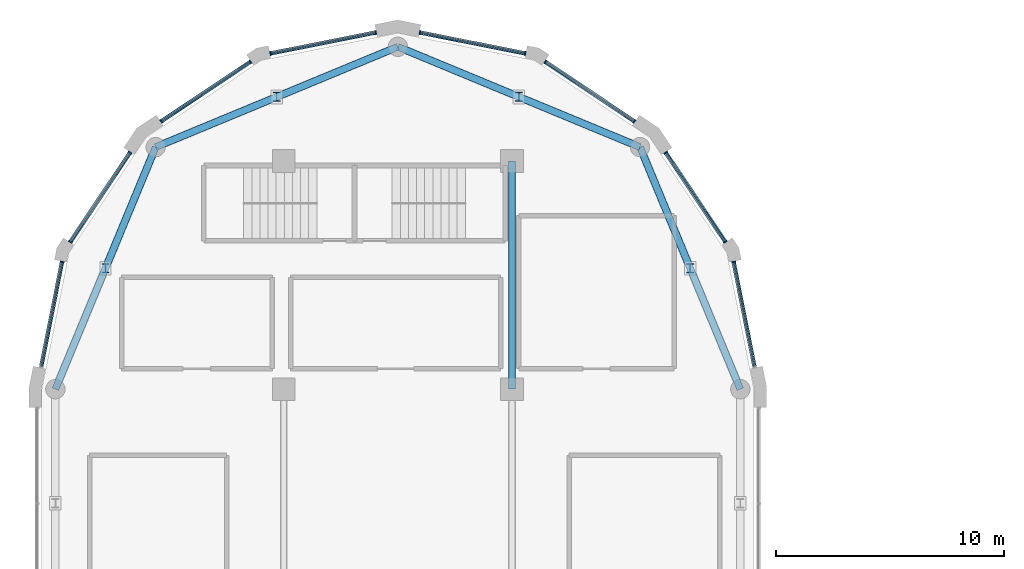
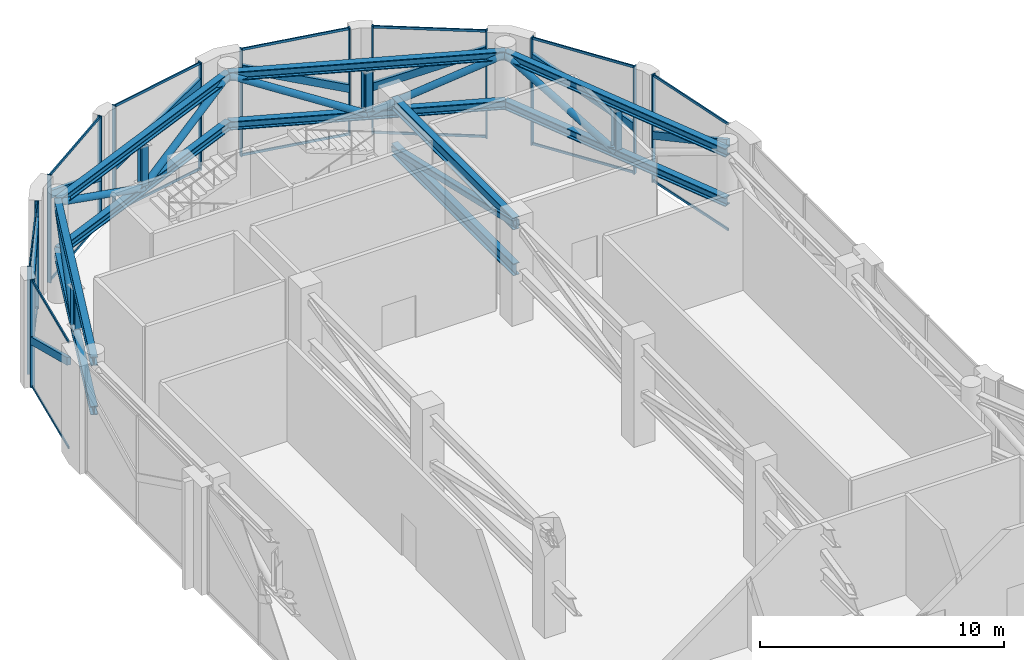
# One storey, part 10 of 18: 59 members, 8 elements without a shape of their own.
"""IFC4 building model written with IfcOpenShell, lengths in metres."""

import ifcopenshell
import ifcopenshell.guid

model = None  # the IFC model being written
_history = None  # IfcOwnerHistory: only IFC2X3 demands one
_inside = {}  # id of a spatial element -> (the spatial element, [elements in it])
_under = {}  # id of a project, library or spatial element -> (it, [spatial elements below it])
_declared = {}  # id of a project -> (the project, [libraries it declares])
_typed = {}  # id of a type object -> (the type object, [elements of that type])
_made_of = {}  # id of a material, layer set ... -> (it, [elements and type objects made of it])


def new_model(schema):
    """Start an empty IFC model of exactly this schema.

    Asked for "IFC4X3", IfcOpenShell would pick the latest addendum, in which some entities
    have other attributes; the version numbers below select the first issue.
    IFC2X3 requires an IfcOwnerHistory on every rooted entity: one is made here for all.
    """
    global model, _history
    if schema == "IFC4X3":
        model = ifcopenshell.file(schema_version=(4, 3, 0, 0))
    else:
        model = ifcopenshell.file(schema=schema)
    _inside.clear()
    _under.clear()
    _declared.clear()
    _typed.clear()
    _made_of.clear()
    _history = None
    if model.schema == "IFC2X3":
        org = make("IfcOrganization", Name="unknown")
        user = make(
            "IfcPersonAndOrganization",
            ThePerson=make("IfcPerson", FamilyName="unknown"),
            TheOrganization=org,
        )
        app = make(
            "IfcApplication",
            ApplicationDeveloper=org,
            Version="unknown",
            ApplicationFullName="unknown",
            ApplicationIdentifier="unknown",
        )
        _history = make(
            "IfcOwnerHistory",
            OwningUser=user,
            OwningApplication=app,
            ChangeAction="ADDED",
            CreationDate=0,
        )
    return model


def make(cls, **values):
    """One entity of the class cls with the attributes given. An attribute that is None is left unset."""
    return model.create_entity(
        cls, **{name: value for name, value in values.items() if value is not None}
    )


def rooted(cls, **values):
    """An entity with a GlobalId (a new one), such as an element, a storey or a relation."""
    return make(cls, GlobalId=ifcopenshell.guid.new(), OwnerHistory=_history, **values)


def si_unit(unit_type, name, prefix=None):
    """IfcSIUnit, for example si_unit("LENGTHUNIT", "METRE", prefix="MILLI")."""
    return make("IfcSIUnit", UnitType=unit_type, Prefix=prefix, Name=name)


def assignment(units):
    """IfcUnitAssignment: the units of a project."""
    return None if units is None else make("IfcUnitAssignment", Units=units)


def point(xyz):
    """IfcCartesianPoint."""
    return None if xyz is None else make("IfcCartesianPoint", Coordinates=xyz)


def direction(xyz):
    """IfcDirection."""
    return None if xyz is None else make("IfcDirection", DirectionRatios=xyz)


def frame(location, z_axis=None, x_axis=None):
    """IfcAxis2Placement3D, a coordinate frame: its origin and axes. An axis left out is left unset."""
    return make(
        "IfcAxis2Placement3D",
        Location=point(location),
        Axis=direction(z_axis),
        RefDirection=direction(x_axis),
    )


def frame_2d(location, x_axis=None):
    """IfcAxis2Placement2D, a coordinate frame in the plane: its origin and x axis."""
    return make(
        "IfcAxis2Placement2D", Location=point(location), RefDirection=direction(x_axis)
    )


def origin():
    """The frame at (0, 0, 0) with its axes left unset."""
    return frame((0.0, 0.0, 0.0))


def origin_2d():
    """The frame at (0, 0) in the plane with its x axis left unset."""
    return frame_2d((0.0, 0.0))


def place(relative_to, where):
    """IfcLocalPlacement: puts the frame where relative to a parent placement (None: the world)."""
    return make(
        "IfcLocalPlacement", PlacementRelTo=relative_to, RelativePlacement=where
    )


def context(
    kind, dimensions, precision=None, world=None, true_north=None, identifier=None
):
    """IfcGeometricRepresentationContext, for example the 3D "Model" context."""
    return make(
        "IfcGeometricRepresentationContext",
        ContextIdentifier=identifier,
        ContextType=kind,
        CoordinateSpaceDimension=dimensions,
        Precision=precision,
        WorldCoordinateSystem=world,
        TrueNorth=true_north,
    )


def subcontext(parent, identifier, kind, view, scale=None):
    """IfcGeometricRepresentationSubContext, for example "Body" below "Model"."""
    return make(
        "IfcGeometricRepresentationSubContext",
        ContextIdentifier=identifier,
        ContextType=kind,
        ParentContext=parent,
        TargetScale=scale,
        TargetView=view,
    )


def project(units=None, contexts=None):
    """IfcProject with its units and contexts."""
    return rooted(
        "IfcProject",
        Name="project",
        RepresentationContexts=contexts,
        UnitsInContext=assignment(units),
    )


def spatial(cls, under=None, at=None, **own):
    """A site, building, storey or space (cls), placed at a placement, below another one or the project."""
    s = rooted(cls, ObjectPlacement=at, **own)
    if under is not None:
        _under.setdefault(under.id(), (under, []))[1].append(s)
    return s


def polyline(points):
    """IfcPolyline through the points."""
    return make("IfcPolyline", Points=[point(p) for p in points])


def profile(cls, at=None, kind="AREA", **sizes):
    """A parametric profile (cls). Its sizes go by their IFC names, for example OverallWidth=200.0."""
    return make(cls, ProfileType=kind, Position=at, **sizes)


def rectangle(**sizes):
    """IfcRectangleProfileDef."""
    return profile("IfcRectangleProfileDef", **sizes)


def hollow_rectangle(**sizes):
    """IfcRectangleHollowProfileDef."""
    return profile("IfcRectangleHollowProfileDef", **sizes)


def hollow_circle(**sizes):
    """IfcCircleHollowProfileDef."""
    return profile("IfcCircleHollowProfileDef", **sizes)


def i_section(**sizes):
    """IfcIShapeProfileDef."""
    return profile("IfcIShapeProfileDef", **sizes)


def outline(outer, holes=None, kind="AREA"):
    """IfcArbitraryClosedProfileDef: a profile drawn as a closed curve; with holes, ...WithVoids."""
    if holes is None:
        return make("IfcArbitraryClosedProfileDef", ProfileType=kind, OuterCurve=outer)
    return make(
        "IfcArbitraryProfileDefWithVoids",
        ProfileType=kind,
        OuterCurve=outer,
        InnerCurves=holes,
    )


def extrude(swept, where, along, depth):
    """IfcExtrudedAreaSolid: the profile swept, set in the frame where, extruded along a direction by depth."""
    return make(
        "IfcExtrudedAreaSolid",
        SweptArea=swept,
        Position=where,
        ExtrudedDirection=direction(along),
        Depth=depth,
    )


def shape(context_of_items, identifier, shape_type, items):
    """IfcShapeRepresentation: the items that make up one representation, for example the "Body"."""
    return make(
        "IfcShapeRepresentation",
        ContextOfItems=context_of_items,
        RepresentationIdentifier=identifier,
        RepresentationType=shape_type,
        Items=items,
    )


def material(Name=None, Category=None):
    """IfcMaterial."""
    return make("IfcMaterial", Name=Name, Category=Category)


def layer(
    of_material, thickness, ventilated=None, Name=None, Category=None, Priority=None
):
    """IfcMaterialLayer: one layer of a wall or slab, of a material (None: an air gap)."""
    return make(
        "IfcMaterialLayer",
        Material=of_material,
        LayerThickness=thickness,
        IsVentilated=ventilated,
        Name=Name,
        Category=Category,
        Priority=Priority,
    )


def layer_set(layers, Name=None):
    """IfcMaterialLayerSet."""
    return make("IfcMaterialLayerSet", MaterialLayers=layers, LayerSetName=Name)


def material_profile(
    of_material, cross_section, Name=None, Category=None, Priority=None
):
    """IfcMaterialProfile: a cross section and its material."""
    return make(
        "IfcMaterialProfile",
        Name=Name,
        Material=of_material,
        Profile=cross_section,
        Priority=Priority,
        Category=Category,
    )


def profile_set(profiles, Name=None, composite=None):
    """IfcMaterialProfileSet."""
    return make(
        "IfcMaterialProfileSet",
        Name=Name,
        MaterialProfiles=profiles,
        CompositeProfile=composite,
    )


def made_of(thing, what):
    """Note that an element or type object is made of a material, layer set ...; save() writes the relation."""
    if what is not None:
        _made_of.setdefault(what.id(), (what, []))[1].append(thing)
    return thing


def type_object(cls, material=None, **own):
    """A type object (cls), such as IfcWallType, which elements share."""
    return made_of(rooted(cls, **own), material)


def element(
    cls,
    number,
    at=None,
    inside=None,
    cuts=None,
    type_object=None,
    material=None,
    context=None,
    identifier="Body",
    shape_type=None,
    held_by="IfcProductDefinitionShape",
    body=None,
    shapes=None,
    **own,
):
    """One element of the class cls, such as IfcWall. Its Tag is "e" and its number.

    at: its placement. inside: the storey or other place that contains it. cuts: it is an
    opening in that element (IfcRelVoidsElement). A single representation is given by context,
    identifier, shape_type and body (its items); several are given by shapes. held_by: the class
    of the entity that holds the representations. save() writes the other relations.
    """
    e = rooted(cls, Tag="e%d" % number, ObjectPlacement=at, **own)
    if body is not None:
        shapes = [shape(context, identifier, shape_type, body)]
    if shapes is not None:
        e.Representation = make(held_by, Representations=shapes)
    if inside is not None:
        _inside.setdefault(inside.id(), (inside, []))[1].append(e)
    if cuts is not None:
        rooted(
            "IfcRelVoidsElement", RelatingBuildingElement=cuts, RelatedOpeningElement=e
        )
    if type_object is not None:
        _typed.setdefault(type_object.id(), (type_object, []))[1].append(e)
    return made_of(e, material)


def aggregate(whole, parts):
    """IfcRelAggregates: a whole, such as a stair, and the parts it consists of."""
    return rooted("IfcRelAggregates", RelatingObject=whole, RelatedObjects=parts)


def save(model, path):
    """Write the relations noted so far, then the file.

    IfcRelAggregates (storeys below a building ...), IfcRelContainedInSpatialStructure (elements
    in a storey), IfcRelDefinesByType, IfcRelAssociatesMaterial and IfcRelDeclares: one each for
    every whole, place, type object, material and project.
    """
    for whole, parts in _under.values():
        aggregate(whole, parts)
    for where, things in _inside.values():
        rooted(
            "IfcRelContainedInSpatialStructure",
            RelatedElements=things,
            RelatingStructure=where,
        )
    for kind, things in _typed.values():
        rooted("IfcRelDefinesByType", RelatedObjects=things, RelatingType=kind)
    for what, things in _made_of.values():
        rooted("IfcRelAssociatesMaterial", RelatedObjects=things, RelatingMaterial=what)
    for by, libraries in _declared.values():
        rooted("IfcRelDeclares", RelatingContext=by, RelatedDefinitions=libraries)
    model.write(path)


model = new_model("IFC4")

# Units and contexts
model_context = context("Model", 3, precision=1e-05, world=origin(), true_north=direction((0.0, 1.0)))
body_context = subcontext(model_context, "Body", "Model", "MODEL_VIEW")
ifc_project = project(units=[si_unit("LENGTHUNIT", "METRE"), si_unit("AREAUNIT", "SQUARE_METRE"), si_unit("VOLUMEUNIT", "CUBIC_METRE"), si_unit("PLANEANGLEUNIT", "RADIAN"), si_unit("MASSUNIT", "GRAM", prefix="KILO")], contexts=[model_context])

# Site, building, storey
site_placement = place(None, origin())
site = spatial("IfcSite", under=ifc_project, at=site_placement, CompositionType="ELEMENT")
building_placement = place(site_placement, origin())
building = spatial("IfcBuilding", under=site, at=building_placement, Name="Qaws Garden Tower", CompositionType="ELEMENT")
storey_placement = place(building_placement, frame((0.0, 0.0, 352.800048828125)))
storey = spatial("IfcBuildingStorey", under=building, at=storey_placement, Name="L86", CompositionType="ELEMENT", Elevation=352.800048828125)

# Members
ifc_material_1 = material(Name="Steel S355", Category="steel")
ifc_material_profile_1 = material_profile(ifc_material_1, i_section(OverallWidth=0.306884765625, OverallDepth=0.431884765625, WebThickness=0.02099609375, FlangeThickness=0.0400390625, FilletRadius=0.027099609375, at=origin_2d()), Name="HEM 400")
ifc_profile_set_1 = profile_set([ifc_material_profile_1], Name="Steel S355")
member_type_1 = type_object("IfcMemberType", Name="Belt chord HEM 400", PredefinedType="CHORD", material=ifc_profile_set_1)
for number, where, z_axis, x_axis, name in (
    (1, (30.0, 60.0, 4.783935546875), (-0.382674207535, 0.923883353507, 0.0), (-0.923883353507, -0.382674207535, 0.0), "Belt truss top chord 10"),
    (2, (30.0, 60.0, 2.31591796875), (-0.382674207535, 0.923883353507, 0.0), (-0.923883353507, -0.382674207535, 0.0), "Belt truss bottom chord 10"),
    (3, (25.606689453125, 70.606689453125, 4.783935546875), (-0.923883353507, 0.382674207535, 0.0), (-0.382674207535, -0.923883353507, 0.0), "Belt truss top chord 11"),
    (4, (25.606689453125, 70.606689453125, 2.31591796875), (-0.923883353507, 0.382674207535, 0.0), (-0.382674207535, -0.923883353507, 0.0), "Belt truss bottom chord 11"),
    (5, (15.0, 75.0, 4.783935546875), (-0.923883353507, -0.382674207535, 0.0), (0.382674207535, -0.923883353507, 0.0), "Belt truss top chord 12"),
    (6, (15.0, 75.0, 2.31591796875), (-0.923883353507, -0.382674207535, 0.0), (0.382674207535, -0.923883353507, 0.0), "Belt truss bottom chord 12"),
    (7, (4.393310546875, 70.606689453125, 4.783935546875), (-0.382674207535, -0.923883353507, 0.0), (0.923883353507, -0.382674207535, 0.0), "Belt truss top chord 13"),
    (8, (4.393310546875, 70.606689453125, 2.31591796875), (-0.382674207535, -0.923883353507, 0.0), (0.923883353507, -0.382674207535, 0.0), "Belt truss bottom chord 13"),
):
    element("IfcMember", number, at=place(storey_placement, frame(where, z_axis=z_axis, x_axis=x_axis)), inside=storey, type_object=member_type_1, Name=name, PredefinedType="CHORD", context=body_context, shape_type="SweptSolid", body=[
        extrude(i_section(OverallWidth=0.306884765625, OverallDepth=0.431884765625, WebThickness=0.02099609375, FlangeThickness=0.0400390625, FilletRadius=0.027099609375, at=origin_2d()), origin(), (0.0, 0.0, 1.0), 11.48046875),
    ])
ifc_material_2 = material(Name="Steel S355", Category="steel")
ifc_material_profile_2 = material_profile(ifc_material_2, hollow_circle(Radius=0.161865234375, WallThickness=0.01611328125, at=origin_2d()), Name="CHS 323.9x16")
ifc_profile_set_2 = profile_set([ifc_material_profile_2], Name="Steel S355")
member_type_2 = type_object("IfcMemberType", Name="Belt diagonal CHS 323.9x16", PredefinedType="BRACE", material=ifc_profile_set_2)
for number, where, z_axis, x_axis, name in (
    (9, (27.80322265625, 65.30322265625, 2.31591796875), (-0.351534736565, 0.848770599355, 0.394983289089), (-0.92389398552, -0.382648537851, 0.0), "Belt truss diagonal 10b"),
    (10, (25.606689453125, 70.606689453125, 4.783935546875), (-0.848770599355, 0.351534736565, -0.394983289089), (-0.382648537851, -0.92389398552, 0.0), "Belt truss diagonal 11a"),
    (11, (20.30322265625, 72.80322265625, 2.31591796875), (-0.848748015441, 0.351580639119, 0.394990962531), (-0.382699877515, -0.923872720536, 0.0), "Belt truss diagonal 11b"),
    (12, (15.0, 75.0, 4.783935546875), (-0.848748015441, -0.351580639119, -0.394990962531), (0.382699877515, -0.923872720536, 0.0), "Belt truss diagonal 12a"),
    (13, (9.69677734375, 72.80322265625, 2.31591796875), (-0.848770599355, -0.351534736565, 0.394983289089), (0.382648537851, -0.92389398552, 0.0), "Belt truss diagonal 12b"),
    (14, (4.393310546875, 70.606689453125, 4.783935546875), (-0.351534736565, -0.848770599355, -0.394983289089), (0.92389398552, -0.382648537851, 0.0), "Belt truss diagonal 13a"),
):
    element("IfcMember", number, at=place(storey_placement, frame(where, z_axis=z_axis, x_axis=x_axis)), inside=storey, type_object=member_type_2, Name=name, PredefinedType="BRACE", context=body_context, shape_type="SweptSolid", body=[
        extrude(hollow_circle(Radius=0.161865234375, WallThickness=0.01611328125, at=origin_2d()), origin(), (0.0, 0.0, 1.0), 6.248291015625),
    ])
ifc_material_3 = material(Name="Steel S355", Category="steel")
ifc_material_profile_3 = material_profile(ifc_material_3, i_section(OverallWidth=0.300048828125, OverallDepth=0.39990234375, WebThickness=0.013427734375, FlangeThickness=0.02392578125, FilletRadius=0.027099609375, at=origin_2d()), Name="HEB 400")
ifc_profile_set_3 = profile_set([ifc_material_profile_3], Name="Steel S355")
member_type_3 = type_object("IfcMemberType", Name="Belt post HEB 400", PredefinedType="POST", material=ifc_profile_set_3)
for number, where, z_axis, x_axis, name in (
    (15, (27.80322265625, 65.30322265625, 2.531982421875), (0.0, 0.0, 1.0), (1.0, 0.0, 0.0), "Belt truss post 10"),
    (16, (20.30322265625, 72.80322265625, 2.531982421875), (0.0, 0.0, 1.0), (1.0, 0.0, 0.0), "Belt truss post 11"),
    (17, (9.69677734375, 72.80322265625, 2.531982421875), (0.0, 0.0, 1.0), (1.0, 0.0, 0.0), "Belt truss post 12"),
    (18, (2.19677734375, 65.30322265625, 2.531982421875), (0.0, 0.0, 1.0), (1.0, 0.0, 0.0), "Belt truss post 13"),
):
    element("IfcMember", number, at=place(storey_placement, frame(where, z_axis=z_axis, x_axis=x_axis)), inside=storey, type_object=member_type_3, Name=name, PredefinedType="POST", context=body_context, shape_type="SweptSolid", body=[
        extrude(i_section(OverallWidth=0.300048828125, OverallDepth=0.39990234375, WebThickness=0.013427734375, FlangeThickness=0.02392578125, FilletRadius=0.027099609375, at=origin_2d()), origin(), (0.0, 0.0, 1.0), 2.035888671875),
    ])

# Curtain wall, member
ifc_material_4 = material(Name="Anodised aluminium curtain wall frame", Category="aluminium")
ifc_layer = layer(ifc_material_4, 0.159912109375)
ifc_layer_set = layer_set([ifc_layer], Name="Anodised aluminium curtain wall frame")
curtain_wall_type = type_object("IfcCurtainWallType", Name="CW6 plant floor louvre glazing curtain wall", PredefinedType="NOTDEFINED", material=ifc_layer_set)
placement = place(storey_placement, origin())
curtain_wall_1 = element("IfcCurtainWall", 19, at=placement, inside=storey, type_object=curtain_wall_type, Name="CW6 Plant floor louvre glazing 09", PredefinedType="NOTDEFINED")
ifc_material_5 = material(Name="Anodised aluminium curtain wall frame", Category="aluminium")
ifc_material_profile_4 = material_profile(ifc_material_5, rectangle(XDim=0.179931640625, YDim=0.360107421875, at=origin_2d()), Name="AL 180x360")
ifc_profile_set_4 = profile_set([ifc_material_profile_4], Name="Anodised aluminium curtain wall frame")
member_type_4 = type_object("IfcMemberType", Name="CW6 inclined transom 360 x 180", PredefinedType="USERDEFINED", material=ifc_profile_set_4)
member_1_placement = place(storey_placement, frame((30.628662109375, 60.940673828125, 0.119873046875), z_axis=(0.0, 0.0, 1.0), x_axis=(-0.195098533057, 0.98078364709, 0.0)))
member_1 = element("IfcMember", 20, at=member_1_placement, type_object=member_type_4, Name="CW6 inclined transom 1.1", ObjectType="TRANSOM", PredefinedType="USERDEFINED", context=body_context, shape_type="SweptSolid", body=[
    extrude(outline(polyline([(0.06005859375, 4.090576171875), (4.692626953125, 2.0595703125), (4.692626953125, 2.452880859375), (0.06005859375, 4.483642578125), (0.06005859375, 4.090576171875)])), frame((0.0, 0.08984375, 0.0), z_axis=(0.0, -1.0, 0.0), x_axis=(1.0, 0.0, 0.0)), (0.0, 0.0, 1.0), 0.179931640625),
])

curtain_wall_2 = element("IfcCurtainWall", 21, at=placement, inside=storey, type_object=curtain_wall_type, Name="CW6 Plant floor louvre glazing 10", PredefinedType="NOTDEFINED")
member_2_placement = place(storey_placement, frame((29.356689453125, 66.43408203125, 0.119873046875), z_axis=(0.0, 0.0, 1.0), x_axis=(-0.555541552266, 0.831488775454, 0.0)))
member_2 = element("IfcMember", 22, at=member_2_placement, type_object=member_type_4, Name="CW6 inclined transom 1.1", ObjectType="TRANSOM", PredefinedType="USERDEFINED", context=body_context, shape_type="SweptSolid", body=[
    extrude(outline(polyline([(0.06005859375, 2.0595703125), (4.692626953125, 4.090576171875), (4.692626953125, 4.483642578125), (0.06005859375, 2.452880859375), (0.06005859375, 2.0595703125)])), frame((0.0, 0.08984375, 0.0), z_axis=(0.0, -1.0, 0.0), x_axis=(1.0, 0.0, 0.0)), (0.0, 0.0, 1.0), 0.179931640625),
])

curtain_wall_3 = element("IfcCurtainWall", 23, at=placement, inside=storey, type_object=curtain_wall_type, Name="CW6 Plant floor louvre glazing 11", PredefinedType="NOTDEFINED")
member_3_placement = place(storey_placement, frame((25.385986328125, 71.71630859375, 0.119873046875), z_axis=(0.0, 0.0, 1.0), x_axis=(-0.831488775454, 0.555541552266, 0.0)))
member_3 = element("IfcMember", 24, at=member_3_placement, type_object=member_type_4, Name="CW6 inclined transom 1.1", ObjectType="TRANSOM", PredefinedType="USERDEFINED", context=body_context, shape_type="SweptSolid", body=[
    extrude(outline(polyline([(0.06005859375, 4.090576171875), (4.692626953125, 2.0595703125), (4.692626953125, 2.452880859375), (0.06005859375, 4.483642578125), (0.06005859375, 4.090576171875)])), frame((0.0, 0.08984375, 0.0), z_axis=(0.0, -1.0, 0.0), x_axis=(1.0, 0.0, 0.0)), (0.0, 0.0, 1.0), 0.179931640625),
])

curtain_wall_4 = element("IfcCurtainWall", 25, at=placement, inside=storey, type_object=curtain_wall_type, Name="CW6 Plant floor louvre glazing 12", PredefinedType="NOTDEFINED")
member_4_placement = place(storey_placement, frame((20.60205078125, 74.701416015625, 0.119873046875), z_axis=(0.0, 0.0, 1.0), x_axis=(-0.98078364709, 0.195098533057, 0.0)))
member_4 = element("IfcMember", 26, at=member_4_placement, type_object=member_type_4, Name="CW6 inclined transom 1.1", ObjectType="TRANSOM", PredefinedType="USERDEFINED", context=body_context, shape_type="SweptSolid", body=[
    extrude(outline(polyline([(0.06005859375, 2.0595703125), (4.692626953125, 4.090576171875), (4.692626953125, 4.483642578125), (0.06005859375, 2.452880859375), (0.06005859375, 2.0595703125)])), frame((0.0, 0.08984375, 0.0), z_axis=(0.0, -1.0, 0.0), x_axis=(1.0, 0.0, 0.0)), (0.0, 0.0, 1.0), 0.179931640625),
])

curtain_wall_5 = element("IfcCurtainWall", 27, at=placement, inside=storey, type_object=curtain_wall_type, Name="CW6 Plant floor louvre glazing 13", PredefinedType="NOTDEFINED")
member_5_placement = place(storey_placement, frame((14.059326171875, 75.628662109375, 0.119873046875), z_axis=(0.0, 0.0, 1.0), x_axis=(-0.98078364709, -0.195098533057, 0.0)))
member_5 = element("IfcMember", 28, at=member_5_placement, type_object=member_type_4, Name="CW6 inclined transom 1.1", ObjectType="TRANSOM", PredefinedType="USERDEFINED", context=body_context, shape_type="SweptSolid", body=[
    extrude(outline(polyline([(0.06005859375, 4.090576171875), (4.692626953125, 2.0595703125), (4.692626953125, 2.452880859375), (0.06005859375, 4.483642578125), (0.06005859375, 4.090576171875)])), frame((0.0, 0.08984375, 0.0), z_axis=(0.0, -1.0, 0.0), x_axis=(1.0, 0.0, 0.0)), (0.0, 0.0, 1.0), 0.179931640625),
])

curtain_wall_6 = element("IfcCurtainWall", 29, at=placement, inside=storey, type_object=curtain_wall_type, Name="CW6 Plant floor louvre glazing 14", PredefinedType="NOTDEFINED")
member_6_placement = place(storey_placement, frame((8.56591796875, 74.356689453125, 0.119873046875), z_axis=(0.0, 0.0, 1.0), x_axis=(-0.831488775454, -0.555541552266, 0.0)))
member_6 = element("IfcMember", 30, at=member_6_placement, type_object=member_type_4, Name="CW6 inclined transom 1.1", ObjectType="TRANSOM", PredefinedType="USERDEFINED", context=body_context, shape_type="SweptSolid", body=[
    extrude(outline(polyline([(0.06005859375, 2.0595703125), (4.692626953125, 4.090576171875), (4.692626953125, 4.483642578125), (0.06005859375, 2.452880859375), (0.06005859375, 2.0595703125)])), frame((0.0, 0.08984375, 0.0), z_axis=(0.0, -1.0, 0.0), x_axis=(1.0, 0.0, 0.0)), (0.0, 0.0, 1.0), 0.179931640625),
])

curtain_wall_7 = element("IfcCurtainWall", 31, at=placement, inside=storey, type_object=curtain_wall_type, Name="CW6 Plant floor louvre glazing 15", PredefinedType="NOTDEFINED")
member_7_placement = place(storey_placement, frame((3.28369140625, 70.385986328125, 0.119873046875), z_axis=(0.0, 0.0, 1.0), x_axis=(-0.555541552266, -0.831488775454, 0.0)))
member_7 = element("IfcMember", 32, at=member_7_placement, type_object=member_type_4, Name="CW6 inclined transom 1.1", ObjectType="TRANSOM", PredefinedType="USERDEFINED", context=body_context, shape_type="SweptSolid", body=[
    extrude(outline(polyline([(0.06005859375, 4.090576171875), (4.692626953125, 2.0595703125), (4.692626953125, 2.452880859375), (0.06005859375, 4.483642578125), (0.06005859375, 4.090576171875)])), frame((0.0, 0.08984375, 0.0), z_axis=(0.0, -1.0, 0.0), x_axis=(1.0, 0.0, 0.0)), (0.0, 0.0, 1.0), 0.179931640625),
])

curtain_wall_8 = element("IfcCurtainWall", 33, at=placement, inside=storey, type_object=curtain_wall_type, Name="CW6 Plant floor louvre glazing 16", PredefinedType="NOTDEFINED")
member_8_placement = place(storey_placement, frame((0.298583984375, 65.60205078125, 0.119873046875), z_axis=(0.0, 0.0, 1.0), x_axis=(-0.195098533057, -0.98078364709, 0.0)))
member_8 = element("IfcMember", 34, at=member_8_placement, type_object=member_type_4, Name="CW6 inclined transom 1.1", ObjectType="TRANSOM", PredefinedType="USERDEFINED", context=body_context, shape_type="SweptSolid", body=[
    extrude(outline(polyline([(0.06005859375, 2.0595703125), (4.692626953125, 4.090576171875), (4.692626953125, 4.483642578125), (0.06005859375, 2.452880859375), (0.06005859375, 2.0595703125)])), frame((0.0, 0.08984375, 0.0), z_axis=(0.0, -1.0, 0.0), x_axis=(1.0, 0.0, 0.0)), (0.0, 0.0, 1.0), 0.179931640625),
])

# Member
ifc_material_6 = material(Name="Anodised aluminium curtain wall frame", Category="aluminium")
ifc_material_profile_5 = material_profile(ifc_material_6, rectangle(XDim=0.179931640625, YDim=0.06005859375, at=origin_2d()), Name="AL 60x180")
ifc_profile_set_5 = profile_set([ifc_material_profile_5], Name="Anodised aluminium curtain wall frame")
member_type_5 = type_object("IfcMemberType", Name="CW6 mullion 60 x 180", PredefinedType="MULLION", material=ifc_profile_set_5)
member_9_placement = place(storey_placement, frame((29.707275390625, 65.57275390625, 0.0), z_axis=(0.0, 0.0, 1.0), x_axis=(-0.980785280407, -0.195090321999, 0.0)))
member_9 = element("IfcMember", 35, at=member_9_placement, type_object=member_type_5, Name="CW6 mullion 2", PredefinedType="MULLION", context=body_context, shape_type="SweptSolid", body=[
    extrude(rectangle(XDim=0.179931640625, YDim=0.06005859375, at=origin_2d()), origin(), (0.0, 0.0, 1.0), 5.39990234375),
])

member_10_placement = place(storey_placement, frame((29.340087890625, 66.458984375, 0.0), z_axis=(0.0, 0.0, 1.0), x_axis=(-0.831469612206, -0.555570233165, 0.0)))
member_10 = element("IfcMember", 36, at=member_10_placement, type_object=member_type_5, Name="CW6 mullion 1", PredefinedType="MULLION", context=body_context, shape_type="SweptSolid", body=[
    extrude(rectangle(XDim=0.179931640625, YDim=0.06005859375, at=origin_2d()), origin(), (0.0, 0.0, 1.0), 5.39990234375),
])

member_11_placement = place(storey_placement, frame((26.73291015625, 70.36083984375, 0.0), z_axis=(0.0, 0.0, 1.0), x_axis=(-0.831469612206, -0.555570233165, 0.0)))
member_11 = element("IfcMember", 37, at=member_11_placement, type_object=member_type_5, Name="CW6 mullion 2", PredefinedType="MULLION", context=body_context, shape_type="SweptSolid", body=[
    extrude(rectangle(XDim=0.179931640625, YDim=0.06005859375, at=origin_2d()), origin(), (0.0, 0.0, 1.0), 5.39990234375),
])

member_12_placement = place(storey_placement, frame((25.36083984375, 71.73291015625, 0.0), z_axis=(0.0, 0.0, 1.0), x_axis=(-0.555570233165, -0.831469612206, 0.0)))
member_12 = element("IfcMember", 38, at=member_12_placement, type_object=member_type_5, Name="CW6 mullion 1", PredefinedType="MULLION", context=body_context, shape_type="SweptSolid", body=[
    extrude(rectangle(XDim=0.179931640625, YDim=0.06005859375, at=origin_2d()), origin(), (0.0, 0.0, 1.0), 5.39990234375),
])

member_13_placement = place(storey_placement, frame((21.458984375, 74.340087890625, 0.0), z_axis=(0.0, 0.0, 1.0), x_axis=(-0.555570233165, -0.831469612206, 0.0)))
member_13 = element("IfcMember", 39, at=member_13_placement, type_object=member_type_5, Name="CW6 mullion 2", PredefinedType="MULLION", context=body_context, shape_type="SweptSolid", body=[
    extrude(rectangle(XDim=0.179931640625, YDim=0.06005859375, at=origin_2d()), origin(), (0.0, 0.0, 1.0), 5.39990234375),
])

member_14_placement = place(storey_placement, frame((20.57275390625, 74.707275390625, 0.0), z_axis=(0.0, 0.0, 1.0), x_axis=(-0.195090321999, -0.980785280407, 0.0)))
member_14 = element("IfcMember", 40, at=member_14_placement, type_object=member_type_5, Name="CW6 mullion 1", PredefinedType="MULLION", context=body_context, shape_type="SweptSolid", body=[
    extrude(rectangle(XDim=0.179931640625, YDim=0.06005859375, at=origin_2d()), origin(), (0.0, 0.0, 1.0), 5.39990234375),
])

member_15_placement = place(storey_placement, frame((15.97021484375, 75.622802734375, 0.0), z_axis=(0.0, 0.0, 1.0), x_axis=(-0.195090321999, -0.980785280407, 0.0)))
member_15 = element("IfcMember", 41, at=member_15_placement, type_object=member_type_5, Name="CW6 mullion 2", PredefinedType="MULLION", context=body_context, shape_type="SweptSolid", body=[
    extrude(rectangle(XDim=0.179931640625, YDim=0.06005859375, at=origin_2d()), origin(), (0.0, 0.0, 1.0), 5.39990234375),
])

member_16_placement = place(storey_placement, frame((14.02978515625, 75.622802734375, 0.0), z_axis=(0.0, 0.0, 1.0), x_axis=(0.195090321999, -0.980785280407, 0.0)))
member_16 = element("IfcMember", 42, at=member_16_placement, type_object=member_type_5, Name="CW6 mullion 1", PredefinedType="MULLION", context=body_context, shape_type="SweptSolid", body=[
    extrude(rectangle(XDim=0.179931640625, YDim=0.06005859375, at=origin_2d()), origin(), (0.0, 0.0, 1.0), 5.39990234375),
])

member_17_placement = place(storey_placement, frame((9.42724609375, 74.707275390625, 0.0), z_axis=(0.0, 0.0, 1.0), x_axis=(0.195090321999, -0.980785280407, 0.0)))
member_17 = element("IfcMember", 43, at=member_17_placement, type_object=member_type_5, Name="CW6 mullion 2", PredefinedType="MULLION", context=body_context, shape_type="SweptSolid", body=[
    extrude(rectangle(XDim=0.179931640625, YDim=0.06005859375, at=origin_2d()), origin(), (0.0, 0.0, 1.0), 5.39990234375),
])

member_18_placement = place(storey_placement, frame((8.541015625, 74.340087890625, 0.0), z_axis=(0.0, 0.0, 1.0), x_axis=(0.555570233165, -0.831469612206, 0.0)))
member_18 = element("IfcMember", 44, at=member_18_placement, type_object=member_type_5, Name="CW6 mullion 1", PredefinedType="MULLION", context=body_context, shape_type="SweptSolid", body=[
    extrude(rectangle(XDim=0.179931640625, YDim=0.06005859375, at=origin_2d()), origin(), (0.0, 0.0, 1.0), 5.39990234375),
])

member_19_placement = place(storey_placement, frame((4.63916015625, 71.73291015625, 0.0), z_axis=(0.0, 0.0, 1.0), x_axis=(0.555570233165, -0.831469612206, 0.0)))
member_19 = element("IfcMember", 45, at=member_19_placement, type_object=member_type_5, Name="CW6 mullion 2", PredefinedType="MULLION", context=body_context, shape_type="SweptSolid", body=[
    extrude(rectangle(XDim=0.179931640625, YDim=0.06005859375, at=origin_2d()), origin(), (0.0, 0.0, 1.0), 5.39990234375),
])

member_20_placement = place(storey_placement, frame((3.26708984375, 70.36083984375, 0.0), z_axis=(0.0, 0.0, 1.0), x_axis=(0.831469612206, -0.555570233165, 0.0)))
member_20 = element("IfcMember", 46, at=member_20_placement, type_object=member_type_5, Name="CW6 mullion 1", PredefinedType="MULLION", context=body_context, shape_type="SweptSolid", body=[
    extrude(rectangle(XDim=0.179931640625, YDim=0.06005859375, at=origin_2d()), origin(), (0.0, 0.0, 1.0), 5.39990234375),
])

member_21_placement = place(storey_placement, frame((0.659912109375, 66.458984375, 0.0), z_axis=(0.0, 0.0, 1.0), x_axis=(0.831469612206, -0.555570233165, 0.0)))
member_21 = element("IfcMember", 47, at=member_21_placement, type_object=member_type_5, Name="CW6 mullion 2", PredefinedType="MULLION", context=body_context, shape_type="SweptSolid", body=[
    extrude(rectangle(XDim=0.179931640625, YDim=0.06005859375, at=origin_2d()), origin(), (0.0, 0.0, 1.0), 5.39990234375),
])

member_22_placement = place(storey_placement, frame((0.292724609375, 65.57275390625, 0.0), z_axis=(0.0, 0.0, 1.0), x_axis=(0.980785280407, -0.195090321999, 0.0)))
member_22 = element("IfcMember", 48, at=member_22_placement, type_object=member_type_5, Name="CW6 mullion 1", PredefinedType="MULLION", context=body_context, shape_type="SweptSolid", body=[
    extrude(rectangle(XDim=0.179931640625, YDim=0.06005859375, at=origin_2d()), origin(), (0.0, 0.0, 1.0), 5.39990234375),
])

ifc_material_7 = material(Name="Anodised aluminium curtain wall frame", Category="aluminium")
ifc_material_profile_6 = material_profile(ifc_material_7, rectangle(XDim=0.06005859375, YDim=0.1201171875, at=origin_2d()), Name="AL 60x120")
ifc_profile_set_6 = profile_set([ifc_material_profile_6], Name="Anodised aluminium curtain wall frame")
member_type_6 = type_object("IfcMemberType", Name="CW6 transom 120 x 60", PredefinedType="USERDEFINED", material=ifc_profile_set_6)
member_23_placement = place(storey_placement, frame((30.616943359375, 60.99951171875, 0.06005859375), z_axis=(-0.195092447628, 0.98078485759, 0.0), x_axis=(-0.98078485759, -0.195092447628, 0.0)))
member_23 = element("IfcMember", 49, at=member_23_placement, type_object=member_type_6, Name="CW6 transom 1.1", ObjectType="TRANSOM", PredefinedType="USERDEFINED", context=body_context, shape_type="SweptSolid", body=[
    extrude(rectangle(XDim=0.06005859375, YDim=0.1201171875, at=origin_2d()), origin(), (0.0, 0.0, 1.0), 4.6328125),
])

member_24_placement = place(storey_placement, frame((30.616943359375, 60.99951171875, 5.33984375), z_axis=(-0.195092447628, 0.98078485759, 0.0), x_axis=(-0.98078485759, -0.195092447628, 0.0)))
member_24 = element("IfcMember", 50, at=member_24_placement, type_object=member_type_6, Name="CW6 transom 1.2", ObjectType="TRANSOM", PredefinedType="USERDEFINED", context=body_context, shape_type="SweptSolid", body=[
    extrude(rectangle(XDim=0.06005859375, YDim=0.1201171875, at=origin_2d()), origin(), (0.0, 0.0, 1.0), 4.6328125),
])

aggregate(curtain_wall_1, [member_9, member_23, member_24, member_1])

member_25_placement = place(storey_placement, frame((29.3232421875, 66.484130859375, 0.06005859375), z_axis=(-0.555575538949, 0.83146606697, 0.0), x_axis=(-0.83146606697, -0.555575538949, 0.0)))
member_25 = element("IfcMember", 51, at=member_25_placement, type_object=member_type_6, Name="CW6 transom 1.1", ObjectType="TRANSOM", PredefinedType="USERDEFINED", context=body_context, shape_type="SweptSolid", body=[
    extrude(rectangle(XDim=0.06005859375, YDim=0.1201171875, at=origin_2d()), origin(), (0.0, 0.0, 1.0), 4.632568359375),
])

member_26_placement = place(storey_placement, frame((29.3232421875, 66.484130859375, 5.33984375), z_axis=(-0.555575538949, 0.83146606697, 0.0), x_axis=(-0.83146606697, -0.555575538949, 0.0)))
member_26 = element("IfcMember", 52, at=member_26_placement, type_object=member_type_6, Name="CW6 transom 1.2", ObjectType="TRANSOM", PredefinedType="USERDEFINED", context=body_context, shape_type="SweptSolid", body=[
    extrude(rectangle(XDim=0.06005859375, YDim=0.1201171875, at=origin_2d()), origin(), (0.0, 0.0, 1.0), 4.632568359375),
])

aggregate(curtain_wall_2, [member_10, member_11, member_25, member_26, member_2])

member_27_placement = place(storey_placement, frame((25.3359375, 71.74951171875, 0.06005859375), z_axis=(-0.83146606697, 0.555575538949, 0.0), x_axis=(-0.555575538949, -0.83146606697, 0.0)))
member_27 = element("IfcMember", 53, at=member_27_placement, type_object=member_type_6, Name="CW6 transom 1.1", ObjectType="TRANSOM", PredefinedType="USERDEFINED", context=body_context, shape_type="SweptSolid", body=[
    extrude(rectangle(XDim=0.06005859375, YDim=0.1201171875, at=origin_2d()), origin(), (0.0, 0.0, 1.0), 4.632568359375),
])

member_28_placement = place(storey_placement, frame((25.3359375, 71.74951171875, 5.33984375), z_axis=(-0.83146606697, 0.555575538949, 0.0), x_axis=(-0.555575538949, -0.83146606697, 0.0)))
member_28 = element("IfcMember", 54, at=member_28_placement, type_object=member_type_6, Name="CW6 transom 1.2", ObjectType="TRANSOM", PredefinedType="USERDEFINED", context=body_context, shape_type="SweptSolid", body=[
    extrude(rectangle(XDim=0.06005859375, YDim=0.1201171875, at=origin_2d()), origin(), (0.0, 0.0, 1.0), 4.632568359375),
])

aggregate(curtain_wall_3, [member_12, member_13, member_27, member_28, member_3])

member_29_placement = place(storey_placement, frame((20.543212890625, 74.713134765625, 0.06005859375), z_axis=(-0.98078485759, 0.195092447628, 0.0), x_axis=(-0.195092447628, -0.98078485759, 0.0)))
member_29 = element("IfcMember", 55, at=member_29_placement, type_object=member_type_6, Name="CW6 transom 1.1", ObjectType="TRANSOM", PredefinedType="USERDEFINED", context=body_context, shape_type="SweptSolid", body=[
    extrude(rectangle(XDim=0.06005859375, YDim=0.1201171875, at=origin_2d()), origin(), (0.0, 0.0, 1.0), 4.6328125),
])

member_30_placement = place(storey_placement, frame((20.543212890625, 74.713134765625, 5.33984375), z_axis=(-0.98078485759, 0.195092447628, 0.0), x_axis=(-0.195092447628, -0.98078485759, 0.0)))
member_30 = element("IfcMember", 56, at=member_30_placement, type_object=member_type_6, Name="CW6 transom 1.2", ObjectType="TRANSOM", PredefinedType="USERDEFINED", context=body_context, shape_type="SweptSolid", body=[
    extrude(rectangle(XDim=0.06005859375, YDim=0.1201171875, at=origin_2d()), origin(), (0.0, 0.0, 1.0), 4.6328125),
])

aggregate(curtain_wall_4, [member_14, member_15, member_29, member_30, member_4])

member_31_placement = place(storey_placement, frame((14.00048828125, 75.616943359375, 0.06005859375), z_axis=(-0.98078485759, -0.195092447628, 0.0), x_axis=(0.195092447628, -0.98078485759, 0.0)))
member_31 = element("IfcMember", 57, at=member_31_placement, type_object=member_type_6, Name="CW6 transom 1.1", ObjectType="TRANSOM", PredefinedType="USERDEFINED", context=body_context, shape_type="SweptSolid", body=[
    extrude(rectangle(XDim=0.06005859375, YDim=0.1201171875, at=origin_2d()), origin(), (0.0, 0.0, 1.0), 4.6328125),
])

member_32_placement = place(storey_placement, frame((14.00048828125, 75.616943359375, 5.33984375), z_axis=(-0.98078485759, -0.195092447628, 0.0), x_axis=(0.195092447628, -0.98078485759, 0.0)))
member_32 = element("IfcMember", 58, at=member_32_placement, type_object=member_type_6, Name="CW6 transom 1.2", ObjectType="TRANSOM", PredefinedType="USERDEFINED", context=body_context, shape_type="SweptSolid", body=[
    extrude(rectangle(XDim=0.06005859375, YDim=0.1201171875, at=origin_2d()), origin(), (0.0, 0.0, 1.0), 4.6328125),
])

aggregate(curtain_wall_5, [member_16, member_17, member_31, member_32, member_5])

member_33_placement = place(storey_placement, frame((8.515869140625, 74.3232421875, 0.06005859375), z_axis=(-0.83146606697, -0.555575538949, 0.0), x_axis=(0.555575538949, -0.83146606697, 0.0)))
member_33 = element("IfcMember", 59, at=member_33_placement, type_object=member_type_6, Name="CW6 transom 1.1", ObjectType="TRANSOM", PredefinedType="USERDEFINED", context=body_context, shape_type="SweptSolid", body=[
    extrude(rectangle(XDim=0.06005859375, YDim=0.1201171875, at=origin_2d()), origin(), (0.0, 0.0, 1.0), 4.632568359375),
])

member_34_placement = place(storey_placement, frame((8.515869140625, 74.3232421875, 5.33984375), z_axis=(-0.83146606697, -0.555575538949, 0.0), x_axis=(0.555575538949, -0.83146606697, 0.0)))
member_34 = element("IfcMember", 60, at=member_34_placement, type_object=member_type_6, Name="CW6 transom 1.2", ObjectType="TRANSOM", PredefinedType="USERDEFINED", context=body_context, shape_type="SweptSolid", body=[
    extrude(rectangle(XDim=0.06005859375, YDim=0.1201171875, at=origin_2d()), origin(), (0.0, 0.0, 1.0), 4.632568359375),
])

aggregate(curtain_wall_6, [member_18, member_19, member_33, member_34, member_6])

member_35_placement = place(storey_placement, frame((3.25048828125, 70.3359375, 0.06005859375), z_axis=(-0.555575538949, -0.83146606697, 0.0), x_axis=(0.83146606697, -0.555575538949, 0.0)))
member_35 = element("IfcMember", 61, at=member_35_placement, type_object=member_type_6, Name="CW6 transom 1.1", ObjectType="TRANSOM", PredefinedType="USERDEFINED", context=body_context, shape_type="SweptSolid", body=[
    extrude(rectangle(XDim=0.06005859375, YDim=0.1201171875, at=origin_2d()), origin(), (0.0, 0.0, 1.0), 4.632568359375),
])

member_36_placement = place(storey_placement, frame((3.25048828125, 70.3359375, 5.33984375), z_axis=(-0.555575538949, -0.83146606697, 0.0), x_axis=(0.83146606697, -0.555575538949, 0.0)))
member_36 = element("IfcMember", 62, at=member_36_placement, type_object=member_type_6, Name="CW6 transom 1.2", ObjectType="TRANSOM", PredefinedType="USERDEFINED", context=body_context, shape_type="SweptSolid", body=[
    extrude(rectangle(XDim=0.06005859375, YDim=0.1201171875, at=origin_2d()), origin(), (0.0, 0.0, 1.0), 4.632568359375),
])

aggregate(curtain_wall_7, [member_20, member_21, member_35, member_36, member_7])

member_37_placement = place(storey_placement, frame((0.286865234375, 65.543212890625, 0.06005859375), z_axis=(-0.195092447628, -0.98078485759, 0.0), x_axis=(0.98078485759, -0.195092447628, 0.0)))
member_37 = element("IfcMember", 63, at=member_37_placement, type_object=member_type_6, Name="CW6 transom 1.1", ObjectType="TRANSOM", PredefinedType="USERDEFINED", context=body_context, shape_type="SweptSolid", body=[
    extrude(rectangle(XDim=0.06005859375, YDim=0.1201171875, at=origin_2d()), origin(), (0.0, 0.0, 1.0), 4.6328125),
])

member_38_placement = place(storey_placement, frame((0.286865234375, 65.543212890625, 5.33984375), z_axis=(-0.195092447628, -0.98078485759, 0.0), x_axis=(0.98078485759, -0.195092447628, 0.0)))
member_38 = element("IfcMember", 64, at=member_38_placement, type_object=member_type_6, Name="CW6 transom 1.2", ObjectType="TRANSOM", PredefinedType="USERDEFINED", context=body_context, shape_type="SweptSolid", body=[
    extrude(rectangle(XDim=0.06005859375, YDim=0.1201171875, at=origin_2d()), origin(), (0.0, 0.0, 1.0), 4.6328125),
])

aggregate(curtain_wall_8, [member_22, member_37, member_38, member_8])

# Members
ifc_material_8 = material(Name="Steel S355", Category="steel")
ifc_material_profile_7 = material_profile(ifc_material_8, i_section(OverallWidth=0.300048828125, OverallDepth=0.60009765625, WebThickness=0.015380859375, FlangeThickness=0.030029296875, FilletRadius=0.027099609375, at=origin_2d()), Name="HEB 600")
ifc_profile_set_7 = profile_set([ifc_material_profile_7], Name="Steel S355")
member_type_7 = type_object("IfcMemberType", Name="Outrigger chord HEB 600", PredefinedType="CHORD", material=ifc_profile_set_7)
for number, where, z_axis, x_axis, name in (
    (65, (20.0, 60.0, 4.699951171875), (0.0, 1.0, 0.0), (-1.0, 0.0, 0.0), "Outrigger 4 top chord 5"),
    (66, (20.0, 60.0, 2.39990234375), (0.0, 1.0, 0.0), (-1.0, 0.0, 0.0), "Outrigger 4 bottom chord 5"),
):
    element("IfcMember", number, at=place(storey_placement, frame(where, z_axis=z_axis, x_axis=x_axis)), inside=storey, type_object=member_type_7, Name=name, PredefinedType="CHORD", context=body_context, shape_type="SweptSolid", body=[
        extrude(i_section(OverallWidth=0.300048828125, OverallDepth=0.60009765625, WebThickness=0.015380859375, FlangeThickness=0.030029296875, FilletRadius=0.027099609375, at=origin_2d()), origin(), (0.0, 0.0, 1.0), 10.0),
    ])
ifc_material_9 = material(Name="Steel S355", Category="steel")
ifc_material_profile_8 = material_profile(ifc_material_9, hollow_rectangle(XDim=0.300048828125, YDim=0.300048828125, WallThickness=0.01611328125, InnerFilletRadius=0.02392578125, OuterFilletRadius=0.0400390625, at=origin_2d()), Name="SHS 300x300x16")
ifc_profile_set_8 = profile_set([ifc_material_profile_8], Name="Steel S355")
member_type_8 = type_object("IfcMemberType", Name="Outrigger diagonal SHS 300x300x16", PredefinedType="BRACE", material=ifc_profile_set_8)
member_39_placement = place(storey_placement, frame((20.0, 60.0, 4.699951171875), z_axis=(0.0, 0.974554147123, -0.224152212403), x_axis=(-1.0, 0.0, 0.0)))
element("IfcMember", 67, at=member_39_placement, inside=storey, type_object=member_type_8, Name="Outrigger 4 diagonal 5", PredefinedType="BRACE", context=body_context, shape_type="SweptSolid", body=[
    extrude(hollow_rectangle(XDim=0.300048828125, YDim=0.300048828125, WallThickness=0.01611328125, InnerFilletRadius=0.02392578125, OuterFilletRadius=0.0400390625, at=origin_2d()), origin(), (0.0, 0.0, 1.0), 10.260986328125),
])

save(model, "model.ifc")
